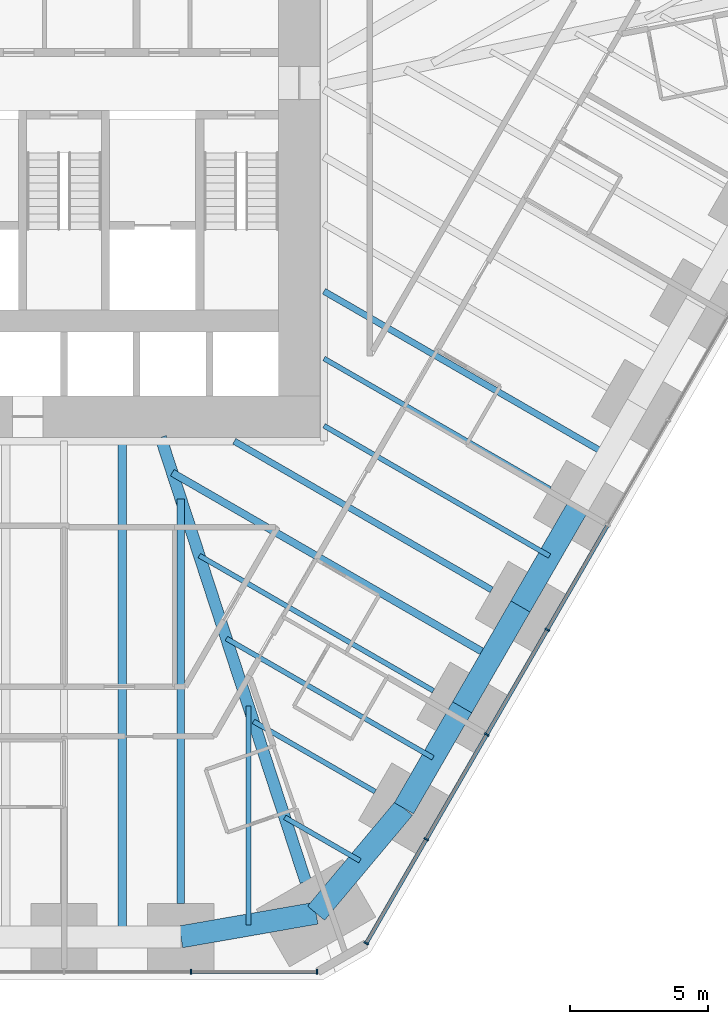
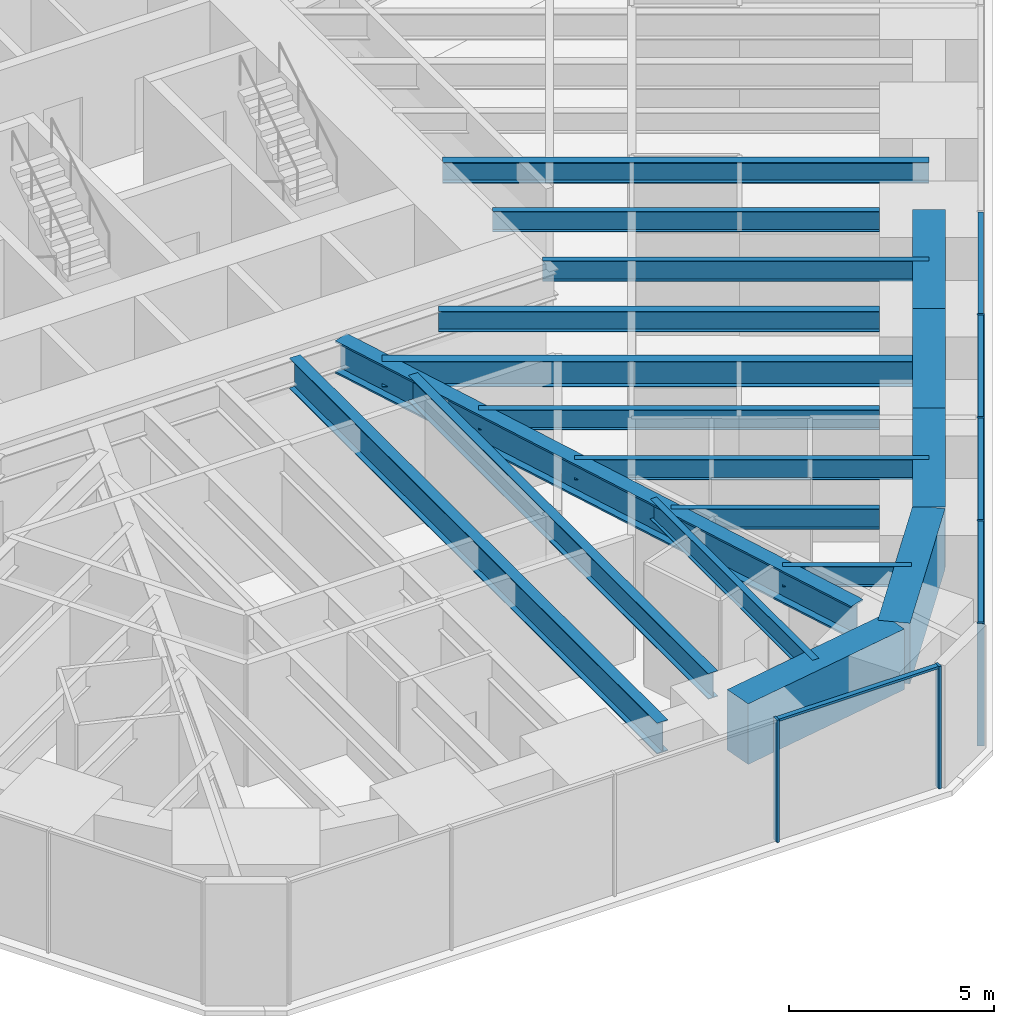
# One storey, part 5 of 17: 18 beams, 11 members, 2 elements without a shape of their own.
"""IFC4 building model written with IfcOpenShell, lengths in metres."""

from ifc_helpers import new_model, si_unit, direction, frame, origin, origin_2d, place, context, subcontext, project, spatial, rectangle, i_section, extrude, material, material_profile, profile_set, type_object, element, aggregate, save


model = new_model("IFC4")

# Units and contexts
model_context = context("Model", 3, precision=1e-05, world=origin(), true_north=direction((0.0, 1.0)))
body_context = subcontext(model_context, "Body", "Model", "MODEL_VIEW")
ifc_project = project(units=[si_unit("LENGTHUNIT", "METRE"), si_unit("AREAUNIT", "SQUARE_METRE"), si_unit("VOLUMEUNIT", "CUBIC_METRE"), si_unit("PLANEANGLEUNIT", "RADIAN"), si_unit("MASSUNIT", "GRAM", prefix="KILO")], contexts=[model_context])

# Site, building, storey
site_placement = place(None, origin())
site = spatial("IfcSite", under=ifc_project, at=site_placement, CompositionType="ELEMENT")
building_placement = place(site_placement, origin())
building = spatial("IfcBuilding", under=site, at=building_placement, Name="Sandreach Pilgrim Tower", CompositionType="ELEMENT")
storey_placement = place(building_placement, frame((0.0, 0.0, 53.39990234375)))
storey = spatial("IfcBuildingStorey", under=building, at=storey_placement, Name="L12", CompositionType="ELEMENT", Elevation=53.39990234375)

# Curtain wall, members
ifc_material_1 = material(Name="Aluminium framed curtain wall", Category="aluminium")
curtain_wall_type = type_object("IfcCurtainWallType", Name="Hostel tower curtain wall", PredefinedType="NOTDEFINED", material=ifc_material_1)
curtain_wall_1_placement = place(storey_placement, origin())
curtain_wall_1 = element("IfcCurtainWall", 1, at=curtain_wall_1_placement, inside=storey, type_object=curtain_wall_type, Name="CW-1 L12 SE", PredefinedType="NOTDEFINED")
ifc_material_2 = material(Name="Aluminium extrusion", Category="aluminium")
ifc_material_profile_1 = material_profile(ifc_material_2, rectangle(XDim=0.06494140625, YDim=0.179931640625, at=origin_2d()), Name="CW-1M 65X180")
ifc_profile_set_1 = profile_set([ifc_material_profile_1], Name="Aluminium extrusion")
member_type_1 = type_object("IfcMemberType", Name="CW-1 mullion", PredefinedType="MULLION", material=ifc_profile_set_1)
member_1_placement = place(storey_placement, frame((17.46142578125, -17.6533203125, 0.0), z_axis=(0.0, 0.0, 1.0), x_axis=(-0.5, -0.866025403784, 0.0)))
member_1 = element("IfcMember", 2, at=member_1_placement, type_object=member_type_1, Name="CW-1 mullion 7", PredefinedType="MULLION", context=body_context, shape_type="SweptSolid", body=[
    extrude(rectangle(XDim=0.06494140625, YDim=0.179931640625, at=origin_2d()), origin(), (0.0, 0.0, 1.0), 3.64013671875),
])
member_2_placement = place(storey_placement, frame((15.275634765625, -21.439208984375, 0.0), z_axis=(0.0, 0.0, 1.0), x_axis=(-0.5, -0.866025403784, 0.0)))
member_2 = element("IfcMember", 3, at=member_2_placement, type_object=member_type_1, Name="CW-1 mullion 8", PredefinedType="MULLION", context=body_context, shape_type="SweptSolid", body=[
    extrude(rectangle(XDim=0.06494140625, YDim=0.179931640625, at=origin_2d()), origin(), (0.0, 0.0, 1.0), 3.64013671875),
])
member_3_placement = place(storey_placement, frame((13.08984375, -25.22509765625, 0.0), z_axis=(0.0, 0.0, 1.0), x_axis=(-0.5, -0.866025403784, 0.0)))
member_3 = element("IfcMember", 4, at=member_3_placement, type_object=member_type_1, Name="CW-1 mullion 9", PredefinedType="MULLION", context=body_context, shape_type="SweptSolid", body=[
    extrude(rectangle(XDim=0.06494140625, YDim=0.179931640625, at=origin_2d()), origin(), (0.0, 0.0, 1.0), 3.64013671875),
])
member_4_placement = place(storey_placement, frame((10.92041015625, -28.982666015625, 0.0), z_axis=(0.0, 0.0, 1.0), x_axis=(-0.5, -0.866025403784, 0.0)))
member_4 = element("IfcMember", 5, at=member_4_placement, type_object=member_type_1, Name="CW-1 mullion 10", PredefinedType="MULLION", context=body_context, shape_type="SweptSolid", body=[
    extrude(rectangle(XDim=0.06494140625, YDim=0.179931640625, at=origin_2d()), origin(), (0.0, 0.0, 1.0), 3.64013671875),
])

curtain_wall_2_placement = place(storey_placement, origin())
curtain_wall_2 = element("IfcCurtainWall", 6, at=curtain_wall_2_placement, inside=storey, type_object=curtain_wall_type, Name="CW-1 L12 S", PredefinedType="NOTDEFINED")
member_5_placement = place(storey_placement, frame((9.1396484375, -30.010986328125, 0.0), z_axis=(0.0, 0.0, 1.0), x_axis=(-1.0, 0.0, 0.0)))
member_5 = element("IfcMember", 7, at=member_5_placement, type_object=member_type_1, Name="CW-1 mullion 1", PredefinedType="MULLION", context=body_context, shape_type="SweptSolid", body=[
    extrude(rectangle(XDim=0.06494140625, YDim=0.179931640625, at=origin_2d()), origin(), (0.0, 0.0, 1.0), 3.64013671875),
])
member_6_placement = place(storey_placement, frame((4.5859375, -30.010986328125, 0.0), z_axis=(0.0, 0.0, 1.0), x_axis=(-1.0, 0.0, 0.0)))
member_6 = element("IfcMember", 8, at=member_6_placement, type_object=member_type_1, Name="CW-1 mullion 2", PredefinedType="MULLION", context=body_context, shape_type="SweptSolid", body=[
    extrude(rectangle(XDim=0.06494140625, YDim=0.179931640625, at=origin_2d()), origin(), (0.0, 0.0, 1.0), 3.64013671875),
])

# Member
ifc_material_3 = material(Name="Aluminium extrusion", Category="aluminium")
ifc_material_profile_2 = material_profile(ifc_material_3, rectangle(XDim=0.139892578125, YDim=0.070068359375, at=origin_2d()), Name="CW-1T 140X70")
ifc_profile_set_2 = profile_set([ifc_material_profile_2], Name="Aluminium extrusion")
member_type_2 = type_object("IfcMemberType", Name="CW-1 transom", PredefinedType="USERDEFINED", material=ifc_profile_set_2)
member_7_placement = place(storey_placement, frame((19.631103515625, -13.8955078125, 3.60498046875), z_axis=(-0.500016891966, -0.866015650984, 0.0), x_axis=(0.866015650984, -0.500016891966, 0.0)))
member_7 = element("IfcMember", 9, at=member_7_placement, type_object=member_type_2, Name="CW-1 head transom 6", ObjectType="TRANSOM", PredefinedType="USERDEFINED", context=body_context, shape_type="SweptSolid", body=[
    extrude(rectangle(XDim=0.139892578125, YDim=0.070068359375, at=origin_2d()), origin(), (0.0, 0.0, 1.0), 4.306396484375),
])

member_8_placement = place(storey_placement, frame((17.4453125, -17.681396484375, 3.60498046875), z_axis=(-0.500016891966, -0.866015650984, 0.0), x_axis=(0.866015650984, -0.500016891966, 0.0)))
member_8 = element("IfcMember", 10, at=member_8_placement, type_object=member_type_2, Name="CW-1 head transom 7", ObjectType="TRANSOM", PredefinedType="USERDEFINED", context=body_context, shape_type="SweptSolid", body=[
    extrude(rectangle(XDim=0.139892578125, YDim=0.070068359375, at=origin_2d()), origin(), (0.0, 0.0, 1.0), 4.306396484375),
])

member_9_placement = place(storey_placement, frame((15.259521484375, -21.46728515625, 3.60498046875), z_axis=(-0.500016891966, -0.866015650984, 0.0), x_axis=(0.866015650984, -0.500016891966, 0.0)))
member_9 = element("IfcMember", 11, at=member_9_placement, type_object=member_type_2, Name="CW-1 head transom 8", ObjectType="TRANSOM", PredefinedType="USERDEFINED", context=body_context, shape_type="SweptSolid", body=[
    extrude(rectangle(XDim=0.139892578125, YDim=0.070068359375, at=origin_2d()), origin(), (0.0, 0.0, 1.0), 4.306396484375),
])

member_10_placement = place(storey_placement, frame((13.07373046875, -25.253173828125, 3.60498046875), z_axis=(-0.500033953635, -0.866005799756, 0.0), x_axis=(0.866005799756, -0.500033953635, 0.0)))
member_10 = element("IfcMember", 12, at=member_10_placement, type_object=member_type_2, Name="CW-1 head transom 9", ObjectType="TRANSOM", PredefinedType="USERDEFINED", context=body_context, shape_type="SweptSolid", body=[
    extrude(rectangle(XDim=0.139892578125, YDim=0.070068359375, at=origin_2d()), origin(), (0.0, 0.0, 1.0), 4.274169921875),
])

aggregate(curtain_wall_1, [member_1, member_2, member_3, member_4, member_7, member_8, member_9, member_10])

member_11_placement = place(storey_placement, frame((9.107177734375, -30.010986328125, 3.60498046875), z_axis=(-1.0, 0.0, 0.0), x_axis=(0.0, -1.0, 0.0)))
member_11 = element("IfcMember", 13, at=member_11_placement, type_object=member_type_2, Name="CW-1 head transom 1", ObjectType="TRANSOM", PredefinedType="USERDEFINED", context=body_context, shape_type="SweptSolid", body=[
    extrude(rectangle(XDim=0.139892578125, YDim=0.070068359375, at=origin_2d()), origin(), (0.0, 0.0, 1.0), 4.488525390625),
])

aggregate(curtain_wall_2, [member_5, member_6, member_11])

# Beams
ifc_material_4 = material(Name="Steel ASTM A992 Grade 50", Category="steel")
ifc_material_profile_3 = material_profile(ifc_material_4, i_section(OverallWidth=0.424072265625, OverallDepth=0.965087890625, WebThickness=0.028564453125, FlangeThickness=0.051025390625, at=origin_2d()), Name="W36X361")
ifc_profile_set_3 = profile_set([ifc_material_profile_3], Name="Steel ASTM A992 Grade 50")
beam_type_1 = type_object("IfcBeamType", Name="Corner girder W36X361", PredefinedType="BEAM", material=ifc_profile_set_3)
beam_1_placement = place(storey_placement, frame((8.73388671875, -26.756103515625, 3.157470703125), z_axis=(-0.310315410754, 0.950633654911, 0.0), x_axis=(-0.950633654911, -0.310315410754, 0.0)))
element("IfcBeam", 14, at=beam_1_placement, inside=storey, type_object=beam_type_1, Name="BM L12 CG22", PredefinedType="BEAM", context=body_context, shape_type="SweptSolid", body=[
    extrude(i_section(OverallWidth=0.424072265625, OverallDepth=0.965087890625, WebThickness=0.028564453125, FlangeThickness=0.051025390625, at=origin_2d()), origin(), (0.0, 0.0, 1.0), 16.889892578125),
])
ifc_material_5 = material(Name="Steel ASTM A992 Grade 50", Category="steel")
ifc_material_profile_4 = material_profile(ifc_material_5, i_section(OverallWidth=0.1787109375, OverallDepth=0.60205078125, WebThickness=0.010986328125, FlangeThickness=0.014892578125, at=origin_2d()), Name="W24X62")
ifc_profile_set_4 = profile_set([ifc_material_profile_4], Name="Steel ASTM A992 Grade 50")
beam_type_2 = type_object("IfcBeamType", Name="Floor beam W24X62", PredefinedType="BEAM", material=ifc_profile_set_4)
beam_2_placement = place(storey_placement, frame((17.557373046875, -12.5673828125, 3.339111328125), z_axis=(-0.866020839647, 0.500007905235, 0.0), x_axis=(-0.500007905235, -0.866020839647, 0.0)))
element("IfcBeam", 15, at=beam_2_placement, inside=storey, type_object=beam_type_2, Name="BM L12 F18", PredefinedType="BEAM", context=body_context, shape_type="SweptSolid", body=[
    extrude(i_section(OverallWidth=0.1787109375, OverallDepth=0.60205078125, WebThickness=0.010986328125, FlangeThickness=0.014892578125, at=origin_2d()), origin(), (0.0, 0.0, 1.0), 9.427001953125),
])
beam_3_placement = place(storey_placement, frame((13.347412109375, -19.859130859375, 3.339111328125), z_axis=(-0.866025751498, 0.499999397742, 0.0), x_axis=(-0.499999397742, -0.866025751498, 0.0)))
element("IfcBeam", 16, at=beam_3_placement, inside=storey, type_object=beam_type_2, Name="BM L12 F20", PredefinedType="BEAM", context=body_context, shape_type="SweptSolid", body=[
    extrude(i_section(OverallWidth=0.1787109375, OverallDepth=0.60205078125, WebThickness=0.010986328125, FlangeThickness=0.014892578125, at=origin_2d()), origin(), (0.0, 0.0, 1.0), 9.767578125),
])
beam_4_placement = place(storey_placement, frame((11.242431640625, -23.5048828125, 3.339111328125), z_axis=(-0.866027897259, 0.49999568115, 0.0), x_axis=(-0.49999568115, -0.866027897259, 0.0)))
element("IfcBeam", 17, at=beam_4_placement, inside=storey, type_object=beam_type_2, Name="BM L12 F21", PredefinedType="BEAM", context=body_context, shape_type="SweptSolid", body=[
    extrude(i_section(OverallWidth=0.1787109375, OverallDepth=0.60205078125, WebThickness=0.010986328125, FlangeThickness=0.014892578125, at=origin_2d()), origin(), (0.0, 0.0, 1.0), 5.0791015625),
])
beam_5_placement = place(storey_placement, frame((17.5439453125, -14.990234375, 3.339111328125), z_axis=(-0.86602359238, 0.500003137431, 0.0), x_axis=(-0.500003137431, -0.86602359238, 0.0)))
element("IfcBeam", 18, at=beam_5_placement, inside=storey, type_object=beam_type_2, Name="BM L12 FM18", PredefinedType="BEAM", context=body_context, shape_type="SweptSolid", body=[
    extrude(i_section(OverallWidth=0.1787109375, OverallDepth=0.60205078125, WebThickness=0.010986328125, FlangeThickness=0.014892578125, at=origin_2d()), origin(), (0.0, 0.0, 1.0), 9.41162109375),
])
beam_6_placement = place(storey_placement, frame((13.334228515625, -22.281982421875, 3.339111328125), z_axis=(-0.86602717807, 0.499996926835, 0.0), x_axis=(-0.499996926835, -0.86602717807, 0.0)))
element("IfcBeam", 19, at=beam_6_placement, inside=storey, type_object=beam_type_2, Name="BM L12 FM20", PredefinedType="BEAM", context=body_context, shape_type="SweptSolid", body=[
    extrude(i_section(OverallWidth=0.1787109375, OverallDepth=0.60205078125, WebThickness=0.010986328125, FlangeThickness=0.014892578125, at=origin_2d()), origin(), (0.0, 0.0, 1.0), 8.62353515625),
])
beam_7_placement = place(storey_placement, frame((10.694091796875, -26.0009765625, 3.339111328125), z_axis=(-0.866023718453, 0.500002919068, 0.0), x_axis=(-0.500002919068, -0.866023718453, 0.0)))
element("IfcBeam", 20, at=beam_7_placement, inside=storey, type_object=beam_type_2, Name="BM L12 FM21", PredefinedType="BEAM", context=body_context, shape_type="SweptSolid", body=[
    extrude(i_section(OverallWidth=0.1787109375, OverallDepth=0.60205078125, WebThickness=0.010986328125, FlangeThickness=0.014892578125, at=origin_2d()), origin(), (0.0, 0.0, 1.0), 3.1396484375),
])
beam_8_placement = place(storey_placement, frame((6.664306640625, -28.323974609375, 3.339111328125), z_axis=(0.0, 1.0, 0.0), x_axis=(-1.0, 0.0, 0.0)))
element("IfcBeam", 21, at=beam_8_placement, inside=storey, type_object=beam_type_2, Name="BM L12 FM22", PredefinedType="BEAM", context=body_context, shape_type="SweptSolid", body=[
    extrude(i_section(OverallWidth=0.1787109375, OverallDepth=0.60205078125, WebThickness=0.010986328125, FlangeThickness=0.014892578125, at=origin_2d()), origin(), (0.0, 0.0, 1.0), 7.907958984375),
])
ifc_material_6 = material(Name="Steel ASTM A992 Grade 50", Category="steel")
ifc_material_profile_5 = material_profile(ifc_material_6, i_section(OverallWidth=0.23046875, OverallDepth=0.6171875, WebThickness=0.01318359375, FlangeThickness=0.022216796875, at=origin_2d()), Name="W24X94")
ifc_profile_set_5 = profile_set([ifc_material_profile_5], Name="Steel ASTM A992 Grade 50")
beam_type_3 = type_object("IfcBeamType", Name="Floor beam W24X94", PredefinedType="BEAM", material=ifc_profile_set_5)
beam_9_placement = place(storey_placement, frame((15.452392578125, -16.213134765625, 3.33154296875), z_axis=(-0.866028486751, 0.499994660107, 0.0), x_axis=(-0.499994660107, -0.866028486751, 0.0)))
element("IfcBeam", 22, at=beam_9_placement, inside=storey, type_object=beam_type_3, Name="BM L12 F19", PredefinedType="BEAM", context=body_context, shape_type="SweptSolid", body=[
    extrude(i_section(OverallWidth=0.23046875, OverallDepth=0.6171875, WebThickness=0.01318359375, FlangeThickness=0.022216796875, at=origin_2d()), origin(), (0.0, 0.0, 1.0), 10.73974609375),
])
beam_10_placement = place(storey_placement, frame((19.64892578125, -11.34423828125, 3.33154296875), z_axis=(-0.866032123691, 0.4999883606, 0.0), x_axis=(-0.4999883606, -0.866032123691, 0.0)))
element("IfcBeam", 23, at=beam_10_placement, inside=storey, type_object=beam_type_3, Name="BM L12 FM17", PredefinedType="BEAM", context=body_context, shape_type="SweptSolid", body=[
    extrude(i_section(OverallWidth=0.23046875, OverallDepth=0.6171875, WebThickness=0.01318359375, FlangeThickness=0.022216796875, at=origin_2d()), origin(), (0.0, 0.0, 1.0), 11.842041015625),
])
ifc_material_7 = material(Name="Steel ASTM A992 Grade 50", Category="steel")
ifc_material_profile_6 = material_profile(ifc_material_7, i_section(OverallWidth=0.2666015625, OverallDepth=0.761962890625, WebThickness=0.014404296875, FlangeThickness=0.021484375, at=origin_2d()), Name="W30X116")
ifc_profile_set_6 = profile_set([ifc_material_profile_6], Name="Steel ASTM A992 Grade 50")
beam_type_4 = type_object("IfcBeamType", Name="Floor beam W30X116", PredefinedType="BEAM", material=ifc_profile_set_6)
beam_11_placement = place(storey_placement, frame((4.222412109375, -27.55078125, 3.259033203125), z_axis=(0.0, 1.0, 0.0), x_axis=(-1.0, 0.0, 0.0)))
element("IfcBeam", 24, at=beam_11_placement, inside=storey, type_object=beam_type_4, Name="BM L12 F23", PredefinedType="BEAM", context=body_context, shape_type="SweptSolid", body=[
    extrude(i_section(OverallWidth=0.2666015625, OverallDepth=0.761962890625, WebThickness=0.014404296875, FlangeThickness=0.021484375, at=origin_2d()), origin(), (0.0, 0.0, 1.0), 14.61572265625),
])
beam_12_placement = place(storey_placement, frame((15.43896484375, -18.63623046875, 3.259033203125), z_axis=(-0.866021271874, 0.50000715661, 0.0), x_axis=(-0.50000715661, -0.866021271874, 0.0)))
element("IfcBeam", 25, at=beam_12_placement, inside=storey, type_object=beam_type_4, Name="BM L12 FM19", PredefinedType="BEAM", context=body_context, shape_type="SweptSolid", body=[
    extrude(i_section(OverallWidth=0.2666015625, OverallDepth=0.761962890625, WebThickness=0.014404296875, FlangeThickness=0.021484375, at=origin_2d()), origin(), (0.0, 0.0, 1.0), 13.311767578125),
])
ifc_material_8 = material(Name="Steel ASTM A992 Grade 50", Category="steel")
ifc_material_profile_7 = material_profile(ifc_material_8, i_section(OverallWidth=0.3046875, OverallDepth=0.914306640625, WebThickness=0.0166015625, FlangeThickness=0.02587890625, at=origin_2d()), Name="W36X160")
ifc_profile_set_7 = profile_set([ifc_material_profile_7], Name="Steel ASTM A992 Grade 50")
beam_type_5 = type_object("IfcBeamType", Name="Floor beam W36X160", PredefinedType="BEAM", material=ifc_profile_set_7)
beam_13_placement = place(storey_placement, frame((2.111083984375, -28.7509765625, 3.182861328125), z_axis=(0.0, 1.0, 0.0), x_axis=(-1.0, 0.0, 0.0)))
element("IfcBeam", 26, at=beam_13_placement, inside=storey, type_object=beam_type_5, Name="BM L12 FM23", PredefinedType="BEAM", context=body_context, shape_type="SweptSolid", body=[
    extrude(i_section(OverallWidth=0.3046875, OverallDepth=0.914306640625, WebThickness=0.0166015625, FlangeThickness=0.02587890625, at=origin_2d()), origin(), (0.0, 0.0, 1.0), 17.90771484375),
])
ifc_material_9 = material(Name="Concrete 10000 psi", Category="concrete")
ifc_material_profile_8 = material_profile(ifc_material_9, rectangle(XDim=0.800048828125, YDim=1.800048828125, at=origin_2d()), Name="RC800X1800")
ifc_profile_set_8 = profile_set([ifc_material_profile_8], Name="Concrete 10000 psi")
beam_type_6 = type_object("IfcBeamType", Name="Spandrel beam RC800X1800", PredefinedType="SPANDREL", material=ifc_profile_set_8)
beam_14_placement = place(storey_placement, frame((18.596435546875, -13.167236328125, 2.739990234375), z_axis=(-0.499993523031, -0.866029143232, 0.0), x_axis=(0.866029143232, -0.499993523031, 0.0)))
element("IfcBeam", 27, at=beam_14_placement, inside=storey, type_object=beam_type_6, Name="BM L12 SP18", PredefinedType="SPANDREL", context=body_context, shape_type="SweptSolid", body=[
    extrude(rectangle(XDim=0.800048828125, YDim=1.800048828125, at=origin_2d()), origin(), (0.0, 0.0, 1.0), 4.2099609375),
])
beam_15_placement = place(storey_placement, frame((16.491455078125, -16.813232421875, 2.739990234375), z_axis=(-0.499975138639, -0.866039757022, 0.0), x_axis=(0.866039757022, -0.499975138639, 0.0)))
element("IfcBeam", 28, at=beam_15_placement, inside=storey, type_object=beam_type_6, Name="BM L12 SP19", PredefinedType="SPANDREL", context=body_context, shape_type="SweptSolid", body=[
    extrude(rectangle(XDim=0.800048828125, YDim=1.800048828125, at=origin_2d()), origin(), (0.0, 0.0, 1.0), 4.209716796875),
])
beam_16_placement = place(storey_placement, frame((14.38671875, -20.458984375, 2.739990234375), z_axis=(-0.499993523031, -0.866029143232, 0.0), x_axis=(0.866029143232, -0.499993523031, 0.0)))
element("IfcBeam", 29, at=beam_16_placement, inside=storey, type_object=beam_type_6, Name="BM L12 SP20", PredefinedType="SPANDREL", context=body_context, shape_type="SweptSolid", body=[
    extrude(rectangle(XDim=0.800048828125, YDim=1.800048828125, at=origin_2d()), origin(), (0.0, 0.0, 1.0), 4.2099609375),
])
beam_17_placement = place(storey_placement, frame((12.28173828125, -24.10498046875, 2.739990234375), z_axis=(-0.642008193922, -0.766697775488, 0.0), x_axis=(0.766697775488, -0.642008193922, 0.0)))
element("IfcBeam", 30, at=beam_17_placement, inside=storey, type_object=beam_type_6, Name="BM L12 SP21", PredefinedType="SPANDREL", context=body_context, shape_type="SweptSolid", body=[
    extrude(rectangle(XDim=0.800048828125, YDim=1.800048828125, at=origin_2d()), origin(), (0.0, 0.0, 1.0), 4.94580078125),
])
beam_18_placement = place(storey_placement, frame((9.1064453125, -27.89697265625, 2.739990234375), z_axis=(-0.985054495501, -0.17224297052, 0.0), x_axis=(0.17224297052, -0.985054495501, 0.0)))
element("IfcBeam", 31, at=beam_18_placement, inside=storey, type_object=beam_type_6, Name="BM L12 SP22", PredefinedType="SPANDREL", context=body_context, shape_type="SweptSolid", body=[
    extrude(rectangle(XDim=0.800048828125, YDim=1.800048828125, at=origin_2d()), origin(), (0.0, 0.0, 1.0), 4.958251953125),
])

save(model, "model.ifc")
